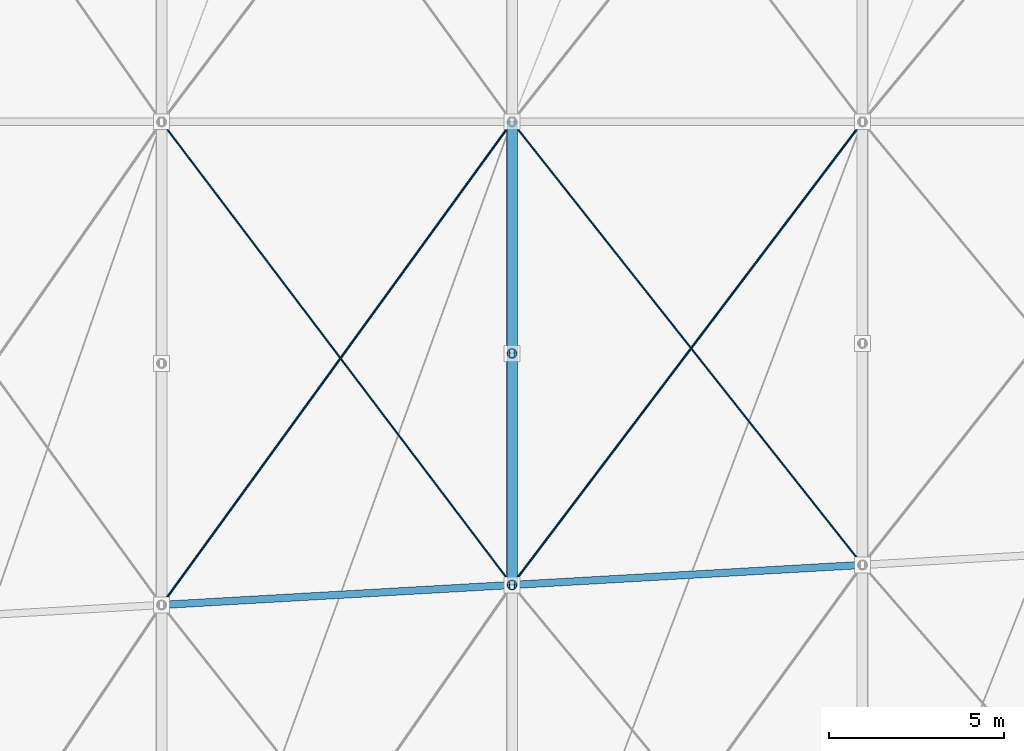
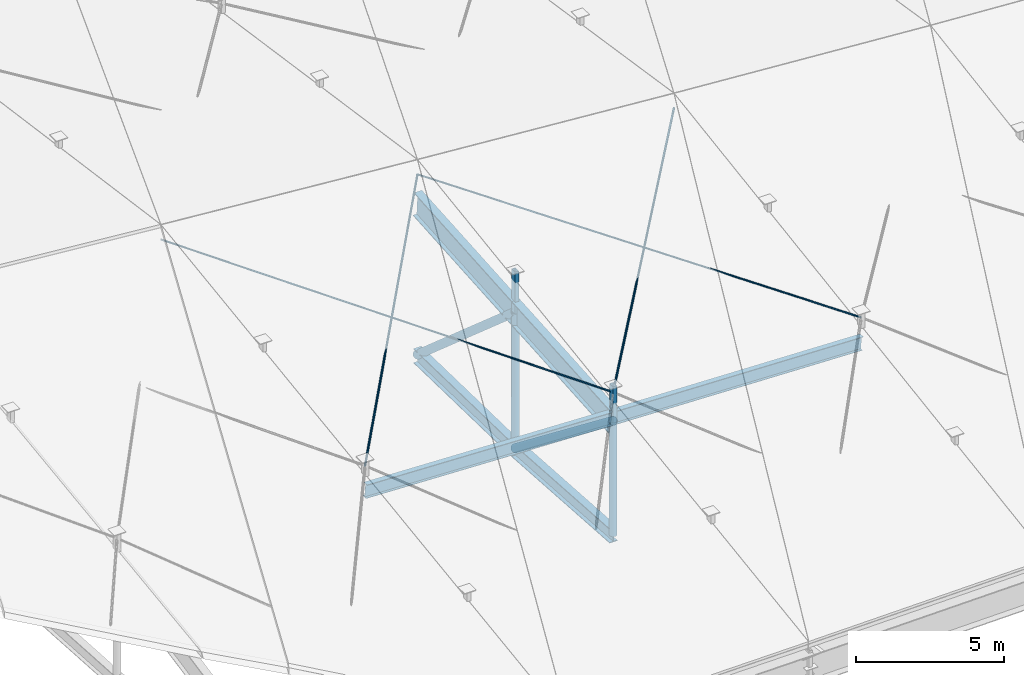
# One storey, part 25 of 68: 10 members, 6 beams.
"""IFC4 building model written with IfcOpenShell, lengths in metres."""

from ifc_helpers import new_model, si_unit, direction, frame, origin, origin_2d, place, context, subcontext, project, spatial, hollow_rectangle, circle, hollow_circle, i_section, extrude, material, material_profile, profile_set, type_object, element, save


model = new_model("IFC4")

# Units and contexts
model_context = context("Model", 3, precision=1e-05, world=origin(), true_north=direction((0.0, 1.0)))
body_context = subcontext(model_context, "Body", "Model", "MODEL_VIEW")
ifc_project = project(units=[si_unit("LENGTHUNIT", "METRE"), si_unit("AREAUNIT", "SQUARE_METRE"), si_unit("VOLUMEUNIT", "CUBIC_METRE"), si_unit("PLANEANGLEUNIT", "RADIAN"), si_unit("MASSUNIT", "GRAM", prefix="KILO")], contexts=[model_context])

# Site, building, storey
site_placement = place(None, origin())
site = spatial("IfcSite", under=ifc_project, at=site_placement, CompositionType="ELEMENT")
building_placement = place(site_placement, origin())
building = spatial("IfcBuilding", under=site, at=building_placement, Name="Sohan Crest Arena", CompositionType="ELEMENT")
storey_placement = place(building_placement, frame((0.0, 0.0, 27.0)))
storey = spatial("IfcBuildingStorey", under=building, at=storey_placement, Name="RF", CompositionType="ELEMENT", Elevation=27.0)

# Beams
ifc_material_1 = material(Name="Steel S355", Category="steel")
ifc_material_profile_1 = material_profile(ifc_material_1, i_section(OverallWidth=0.2099609375, OverallDepth=0.550048828125, WebThickness=0.010986328125, FlangeThickness=0.01708984375, at=origin_2d()), Name="IPE 550")
ifc_profile_set_1 = profile_set([ifc_material_profile_1], Name="Steel S355")
beam_type_1 = type_object("IfcBeamType", Name="STR-BM-B06", PredefinedType="BEAM", material=ifc_profile_set_1)
beam_1_placement = place(storey_placement, frame((128.0, 64.215087890625, 1.824951171875), z_axis=(0.995068654747, 0.056701421879, -0.081383788901), x_axis=(-0.056890135695, 0.998380444751, 0.0)))
element("IfcBeam", 1, at=beam_1_placement, inside=storey, type_object=beam_type_1, Name="Structural beam RP-RF-3153", PredefinedType="BEAM", context=body_context, shape_type="SweptSolid", body=[
    extrude(i_section(OverallWidth=0.2099609375, OverallDepth=0.550048828125, WebThickness=0.010986328125, FlangeThickness=0.01708984375, at=origin_2d()), origin(), (0.0, 0.0, 1.0), 10.049560546875),
])
beam_2_placement = place(storey_placement, frame((138.0, 64.784912109375, 1.007080078125), z_axis=(0.995460409304, 0.056942474097, -0.076263544053), x_axis=(-0.057108792309, 0.998367961145, 0.0)))
element("IfcBeam", 2, at=beam_2_placement, inside=storey, type_object=beam_type_1, Name="Structural beam RP-RF-3156", PredefinedType="BEAM", context=body_context, shape_type="SweptSolid", body=[
    extrude(i_section(OverallWidth=0.2099609375, OverallDepth=0.550048828125, WebThickness=0.010986328125, FlangeThickness=0.01708984375, at=origin_2d()), origin(), (0.0, 0.0, 1.0), 10.045654296875),
])
ifc_material_profile_2 = material_profile(ifc_material_1, i_section(OverallWidth=0.300048828125, OverallDepth=0.60009765625, WebThickness=0.015380859375, FlangeThickness=0.030029296875, at=origin_2d()), Name="HEB 600")
ifc_profile_set_2 = profile_set([ifc_material_profile_2], Name="Steel S355")
beam_type_2 = type_object("IfcBeamType", Name="STR-BM-B15", PredefinedType="BEAM", material=ifc_profile_set_2)
beam_3_placement = place(storey_placement, frame((138.0, 64.784912109375, -3.840087890625), z_axis=(0.0, 0.997689885571, -0.067932998083), x_axis=(-1.0, 0.0, 0.0)))
element("IfcBeam", 3, at=beam_3_placement, inside=storey, type_object=beam_type_2, Name="Structural beam RAB-RF-3085", PredefinedType="BEAM", context=body_context, shape_type="SweptSolid", body=[
    extrude(i_section(OverallWidth=0.300048828125, OverallDepth=0.60009765625, WebThickness=0.015380859375, FlangeThickness=0.030029296875, at=origin_2d()), origin(), (0.0, 0.0, 1.0), 6.62353515625),
])
beam_4_placement = place(storey_placement, frame((138.0, 71.39306640625, -4.2900390625), z_axis=(0.0, 0.999742712117, -0.022682803386), x_axis=(-1.0, 0.0, 0.0)))
element("IfcBeam", 4, at=beam_4_placement, inside=storey, type_object=beam_type_2, Name="Structural beam RAB-RF-3087", PredefinedType="BEAM", context=body_context, shape_type="SweptSolid", body=[
    extrude(i_section(OverallWidth=0.300048828125, OverallDepth=0.60009765625, WebThickness=0.015380859375, FlangeThickness=0.030029296875, at=origin_2d()), origin(), (0.0, 0.0, 1.0), 6.608642578125),
])
ifc_material_profile_3 = material_profile(ifc_material_1, i_section(OverallWidth=0.300048828125, OverallDepth=1.0, WebThickness=0.01904296875, FlangeThickness=0.035888671875, at=origin_2d()), Name="HEB 1000")
ifc_profile_set_3 = profile_set([ifc_material_profile_3], Name="Steel S355")
beam_type_3 = type_object("IfcBeamType", Name="STR-BM-B19", PredefinedType="BEAM", material=ifc_profile_set_3)
beam_5_placement = place(storey_placement, frame((138.0, 64.784912109375, 0.846923828125), z_axis=(0.0, 0.997361064245, 0.072601016021), x_axis=(-1.0, 0.0, 0.0)))
element("IfcBeam", 5, at=beam_5_placement, inside=storey, type_object=beam_type_3, Name="Structural beam RA-RF-3084", PredefinedType="BEAM", context=body_context, shape_type="SweptSolid", body=[
    extrude(i_section(OverallWidth=0.300048828125, OverallDepth=1.0, WebThickness=0.01904296875, FlangeThickness=0.035888671875, at=origin_2d()), origin(), (0.0, 0.0, 1.0), 6.624755859375),
])
beam_6_placement = place(storey_placement, frame((138.0, 71.39208984375, 1.327880859375), z_axis=(0.0, 0.99734829054, 0.072776282931), x_axis=(-1.0, 0.0, 0.0)))
element("IfcBeam", 6, at=beam_6_placement, inside=storey, type_object=beam_type_3, Name="Structural beam RA-RF-3086", PredefinedType="BEAM", context=body_context, shape_type="SweptSolid", body=[
    extrude(i_section(OverallWidth=0.300048828125, OverallDepth=1.0, WebThickness=0.01904296875, FlangeThickness=0.035888671875, at=origin_2d()), origin(), (0.0, 0.0, 1.0), 6.62548828125),
])

# Members
ifc_material_profile_4 = material_profile(ifc_material_1, hollow_circle(Radius=0.136474609375, WallThickness=0.012451171875, at=origin_2d()), Name="CHS 273x12.5")
ifc_profile_set_4 = profile_set([ifc_material_profile_4], Name="Steel S355")
member_type_1 = type_object("IfcMemberType", Name="STR-MEM-BR02", PredefinedType="BRACE", material=ifc_profile_set_4)
member_1_placement = place(storey_placement, frame((138.0, 64.784912109375, -3.840087890625), z_axis=(0.0, 0.0, 1.0), x_axis=(1.0, 0.0, 0.0)))
element("IfcMember", 7, at=member_1_placement, inside=storey, type_object=member_type_1, Name="Lenticular roof truss web strut TW-169", PredefinedType="BRACE", context=body_context, shape_type="SweptSolid", body=[
    extrude(hollow_circle(Radius=0.136474609375, WallThickness=0.012451171875, at=origin_2d()), origin(), (0.0, 0.0, 1.0), 4.68701171875),
])
member_2_placement = place(storey_placement, frame((138.0, 71.39306640625, -4.2900390625), z_axis=(0.0, -0.000173829905, 0.999999984892), x_axis=(1.0, 0.0, 0.0)))
element("IfcMember", 8, at=member_2_placement, inside=storey, type_object=member_type_1, Name="Lenticular roof truss web strut TW-171", PredefinedType="BRACE", context=body_context, shape_type="SweptSolid", body=[
    extrude(hollow_circle(Radius=0.136474609375, WallThickness=0.012451171875, at=origin_2d()), origin(), (0.0, 0.0, 1.0), 5.617919921875),
])
ifc_material_profile_5 = material_profile(ifc_material_1, hollow_circle(Radius=0.161865234375, WallThickness=0.012451171875, at=origin_2d()), Name="CHS 323.9x12.5")
ifc_profile_set_5 = profile_set([ifc_material_profile_5], Name="Steel S355")
member_type_2 = type_object("IfcMemberType", Name="STR-MEM-BR03", PredefinedType="BRACE", material=ifc_profile_set_5)
member_3_placement = place(storey_placement, frame((138.0, 71.39306640625, -4.2900390625), z_axis=(0.0, -0.789509253787, 0.613738656258), x_axis=(1.0, 0.0, 0.0)))
element("IfcMember", 9, at=member_3_placement, inside=storey, type_object=member_type_2, Name="Lenticular roof truss web diagonal TD-170", PredefinedType="BRACE", context=body_context, shape_type="SweptSolid", body=[
    extrude(hollow_circle(Radius=0.161865234375, WallThickness=0.012451171875, at=origin_2d()), origin(), (0.0, 0.0, 1.0), 8.369873046875),
])
member_4_placement = place(storey_placement, frame((138.0, 78.0, -4.43994140625), z_axis=(0.0, -0.753372757059, 0.657593711133), x_axis=(1.0, 0.0, 0.0)))
element("IfcMember", 10, at=member_4_placement, inside=storey, type_object=member_type_2, Name="Lenticular roof truss web diagonal TD-172", PredefinedType="BRACE", context=body_context, shape_type="SweptSolid", body=[
    extrude(hollow_circle(Radius=0.161865234375, WallThickness=0.012451171875, at=origin_2d()), origin(), (0.0, 0.0, 1.0), 8.77099609375),
])
ifc_material_2 = material(Name="Steel S460", Category="steel")
ifc_material_profile_6 = material_profile(ifc_material_2, circle(Radius=0.031982421875, at=origin_2d()), Name="FLC D64")
ifc_profile_set_6 = profile_set([ifc_material_profile_6], Name="Steel S460")
member_type_3 = type_object("IfcMemberType", Name="STR-MEM-CB01", PredefinedType="USERDEFINED", material=ifc_profile_set_6)
member_5_placement = place(storey_placement, frame((128.0, 64.215087890625, 2.844970703125), z_axis=(0.587174834145, 0.809415348152, 0.008515181921), x_axis=(-0.809444694423, 0.587196122834, 0.0)))
element("IfcMember", 11, at=member_5_placement, inside=storey, type_object=member_type_3, Name="Full-locked-coil roof cable CB-027", ObjectType="CABLE", PredefinedType="USERDEFINED", context=body_context, shape_type="SweptSolid", body=[
    extrude(circle(Radius=0.031982421875, at=origin_2d()), origin(), (0.0, 0.0, 1.0), 17.03076171875),
])
member_6_placement = place(storey_placement, frame((138.0, 64.784912109375, 2.027099609375), z_axis=(0.603377265522, 0.797368359508, 0.011814173998), x_axis=(-0.797424011561, 0.603419378033, 0.0)))
element("IfcMember", 12, at=member_6_placement, inside=storey, type_object=member_type_3, Name="Full-locked-coil roof cable CB-035", ObjectType="CABLE", PredefinedType="USERDEFINED", context=body_context, shape_type="SweptSolid", body=[
    extrude(circle(Radius=0.031982421875, at=origin_2d()), origin(), (0.0, 0.0, 1.0), 16.573486328125),
])
ifc_material_profile_7 = material_profile(ifc_material_2, circle(Radius=0.02587890625, at=origin_2d()), Name="FLC D52")
ifc_profile_set_7 = profile_set([ifc_material_profile_7], Name="Steel S460")
member_type_4 = type_object("IfcMemberType", Name="STR-MEM-CB02", PredefinedType="USERDEFINED", material=ifc_profile_set_7)
member_7_placement = place(storey_placement, frame((128.0, 78.0, 3.806884765625), z_axis=(0.599969324541, -0.792864735548, -0.106781649802), x_axis=(0.797424011561, 0.603419378033, 0.0)))
element("IfcMember", 13, at=member_7_placement, inside=storey, type_object=member_type_4, Name="Full-locked-coil roof cable CB-028", ObjectType="CABLE", PredefinedType="USERDEFINED", context=body_context, shape_type="SweptSolid", body=[
    extrude(circle(Radius=0.02587890625, at=origin_2d()), origin(), (0.0, 0.0, 1.0), 16.66748046875),
])
member_8_placement = place(storey_placement, frame((138.0, 78.0, 2.989990234375), z_axis=(0.616818078397, -0.779847192575, -0.106648086699), x_axis=(0.784320304822, 0.620356074721, 0.0)))
element("IfcMember", 14, at=member_8_placement, inside=storey, type_object=member_type_4, Name="Full-locked-coil roof cable CB-036", ObjectType="CABLE", PredefinedType="USERDEFINED", context=body_context, shape_type="SweptSolid", body=[
    extrude(circle(Radius=0.02587890625, at=origin_2d()), origin(), (0.0, 0.0, 1.0), 16.212158203125),
])
ifc_material_profile_8 = material_profile(ifc_material_1, hollow_rectangle(XDim=0.14990234375, YDim=0.25, WallThickness=0.010009765625, at=origin_2d()), Name="RHS 250x150x10")
ifc_profile_set_8 = profile_set([ifc_material_profile_8], Name="Steel S355")
member_type_5 = type_object("IfcMemberType", Name="STR-MEM-CH02", PredefinedType="CHORD", material=ifc_profile_set_8)
member_9_placement = place(storey_placement, frame((138.0, 64.784912109375, 0.846923828125), z_axis=(0.0, 0.0, 1.0), x_axis=(1.0, 0.0, 0.0)))
element("IfcMember", 15, at=member_9_placement, inside=storey, type_object=member_type_5, Name="Roof deck bearing saddle chord RSP-159", PredefinedType="CHORD", context=body_context, shape_type="SweptSolid", body=[
    extrude(hollow_rectangle(XDim=0.14990234375, YDim=0.25, WallThickness=0.010009765625, at=origin_2d()), origin(), (0.0, 0.0, 1.0), 1.489990234375),
])
member_10_placement = place(storey_placement, frame((138.0, 71.39208984375, 1.327880859375), z_axis=(0.0, 0.000564095242, 0.999999840898), x_axis=(1.0, 0.0, 0.0)))
element("IfcMember", 16, at=member_10_placement, inside=storey, type_object=member_type_5, Name="Roof deck bearing saddle chord RSP-160", PredefinedType="CHORD", context=body_context, shape_type="SweptSolid", body=[
    extrude(hollow_rectangle(XDim=0.14990234375, YDim=0.25, WallThickness=0.010009765625, at=origin_2d()), origin(), (0.0, 0.0, 1.0), 1.731201171875),
])

save(model, "model.ifc")
